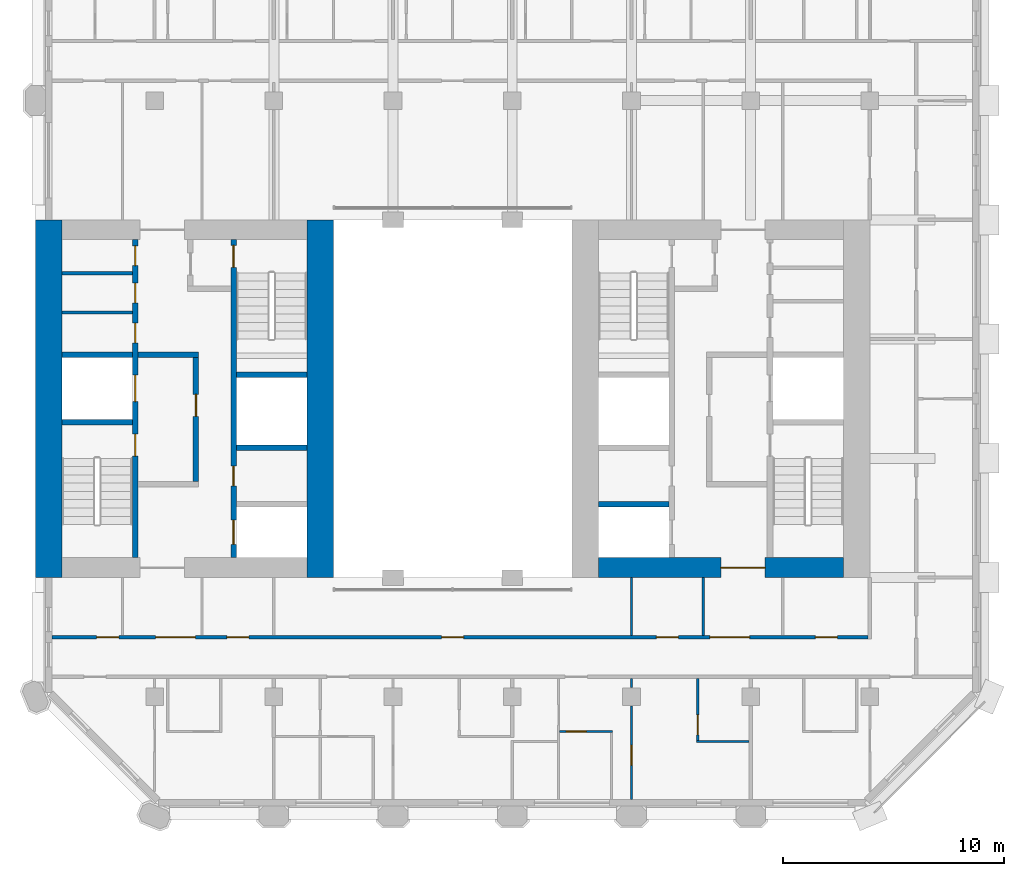
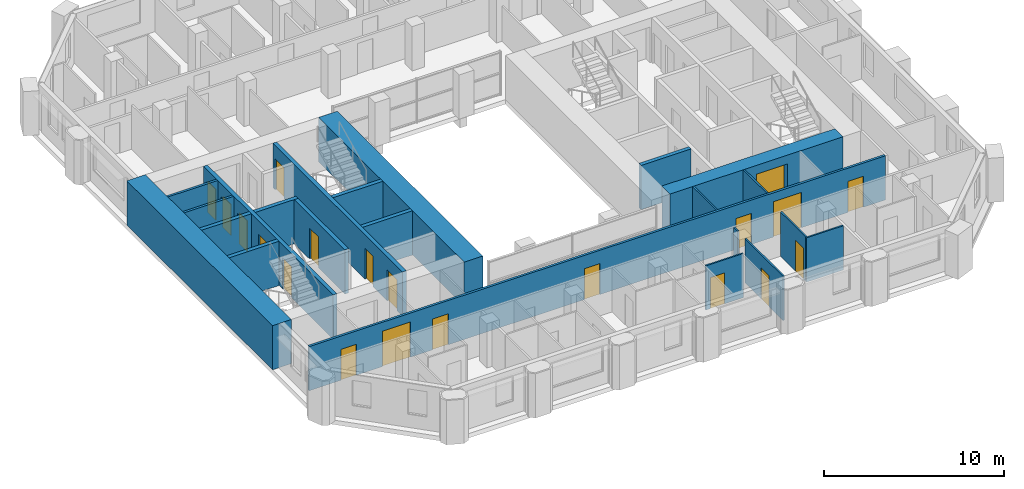
# One storey, part 5 of 12: 22 walls, 20 doors, 20 openings.
"""IFC4 building model written with IfcOpenShell, lengths in metres."""

from ifc_helpers import new_model, si_unit, direction, frame, frame_2d, origin, place, context, subcontext, project, spatial, rectangle, extrude, material, layer, layer_set, type_object, element, fill, save


model = new_model("IFC4")

# Units and contexts
model_context = context("Model", 3, precision=1e-05, world=origin(), true_north=direction((0.0, 1.0)))
body_context = subcontext(model_context, "Body", "Model", "MODEL_VIEW")
ifc_project = project(units=[si_unit("LENGTHUNIT", "METRE"), si_unit("AREAUNIT", "SQUARE_METRE"), si_unit("VOLUMEUNIT", "CUBIC_METRE"), si_unit("PLANEANGLEUNIT", "RADIAN"), si_unit("MASSUNIT", "GRAM", prefix="KILO")], contexts=[model_context])

# Site, building, storey
site_placement = place(None, origin())
site = spatial("IfcSite", under=ifc_project, at=site_placement, CompositionType="ELEMENT")
building_placement = place(site_placement, origin())
building = spatial("IfcBuilding", under=site, at=building_placement, Name="Tabaq Tower and Sports Hall", CompositionType="ELEMENT")
storey_placement = place(building_placement, frame((0.0, 0.0, 184.0)))
storey = spatial("IfcBuildingStorey", under=building, at=storey_placement, Name="L44", CompositionType="ELEMENT", Elevation=184.0)

# Walls
ifc_material_1 = material(Name="Blockwork", Category="masonry")
ifc_layer_1 = layer(ifc_material_1, 0.14990234375)
ifc_layer_set_1 = layer_set([ifc_layer_1], Name="Core room partition 150 Blockwork")
wall_type_1 = type_object("IfcWallType", Name="Core room partition 150 Blockwork", PredefinedType="PARTITIONING", material=ifc_layer_set_1)
for number, where, z_axis, x_axis, name in (
    (1, (6.60009765625, 28.200927734375, 0.0), (0.0, 0.0, 1.0), (1.0, 0.0, 0.0), "Core room partition W L44"),
    (2, (6.60009765625, 29.97705078125, 0.0), (0.0, 0.0, 1.0), (1.0, 0.0, 0.0), "Core room partition W L44"),
):
    element("IfcWall", number, at=place(storey_placement, frame(where, z_axis=z_axis, x_axis=x_axis)), inside=storey, type_object=wall_type_1, Name=name, PredefinedType="PARTITIONING", context=body_context, shape_type="SweptSolid", body=[
        extrude(rectangle(XDim=3.199951171875, YDim=0.14990234375, at=frame_2d((1.60009765625, 0.0))), origin(), (0.0, 0.0, 1.0), 3.0),
    ])
ifc_material_2 = material(Name="Concrete C50/60", Category="concrete")
ifc_layer_2 = layer(ifc_material_2, 1.199951171875)
ifc_layer_set_2 = layer_set([ifc_layer_2], Name="Core wall 1200 Concrete C50/60")
wall_type_2 = type_object("IfcWallType", Name="Core wall 1200 Concrete C50/60", PredefinedType="SOLIDWALL", material=ifc_layer_set_2)
for number, where, z_axis, x_axis, name in (
    (3, (6.0, 16.199951171875, 0.0), (0.0, 0.0, 1.0), (0.0, 1.0, 0.0), "Core wall W L44"),
    (4, (18.300048828125, 32.39990234375, 0.0), (0.0, 0.0, 1.0), (0.0, -1.0, 0.0), "Core wall W L44"),
):
    element("IfcWall", number, at=place(storey_placement, frame(where, z_axis=z_axis, x_axis=x_axis)), inside=storey, type_object=wall_type_2, Name=name, PredefinedType="SOLIDWALL", context=body_context, shape_type="SweptSolid", body=[
        extrude(rectangle(XDim=16.199951171875, YDim=1.199951171875, at=frame_2d((8.10009765625, 0.0))), origin(), (0.0, 0.0, 1.0), 3.0),
    ])

# Wall, opening, door
ifc_material_3 = material(Name="Concrete C50/60", Category="concrete")
ifc_layer_3 = layer(ifc_material_3, 0.89990234375)
ifc_layer_set_3 = layer_set([ifc_layer_3], Name="Core wall 900 Concrete C50/60")
wall_type_3 = type_object("IfcWallType", Name="Core wall 900 Concrete C50/60", PredefinedType="SOLIDWALL", material=ifc_layer_set_3)
wall_1_placement = place(storey_placement, frame((42.0, 16.64990234375, 0.0), z_axis=(0.0, 0.0, 1.0), x_axis=(-1.0, 0.0, 0.0)))
wall_1 = element("IfcWall", 5, at=wall_1_placement, inside=storey, type_object=wall_type_3, Name="Core wall E L44", PredefinedType="SOLIDWALL", context=body_context, shape_type="SweptSolid", body=[
    extrude(rectangle(XDim=11.10009765625, YDim=0.89990234375, at=frame_2d((5.550048828125, 0.0))), origin(), (0.0, 0.0, 1.0), 3.0),
])
opening_1_placement = place(wall_1_placement, frame((3.550048828125, 0.0, 0.0)))
opening_1 = element("IfcOpeningElement", 6, at=opening_1_placement, cuts=wall_1, Name="Opening PD-EL44-01", PredefinedType="OPENING", context=body_context, shape_type="SweptSolid", body=[
    extrude(rectangle(XDim=2.0, YDim=2.39990234375, at=frame_2d((1.0, 1.199951171875))), frame((0.0, 0.449951171875, 0.0), z_axis=(0.0, -1.0, 0.0), x_axis=(1.0, 0.0, 0.0)), (0.0, 0.0, 1.0), 0.89990234375),
])
ifc_material_4 = material(Name="Steel fire door", Category="steel")
door_type_1 = type_object("IfcDoorType", Name="Core entrance door 2000", OperationType="DOUBLE_DOOR_SINGLE_SWING", PredefinedType="DOOR", material=ifc_material_4)
door_1_placement = place(opening_1_placement, origin())
door_1 = element("IfcDoor", 7, at=door_1_placement, inside=storey, type_object=door_type_1, Name="Core entrance south E L44", OperationType="DOUBLE_DOOR_SINGLE_SWING", OverallHeight=2.39990234375, OverallWidth=2.0, PredefinedType="DOOR", context=body_context, shape_type="SweptSolid", body=[
    extrude(rectangle(XDim=2.0, YDim=2.39990234375, at=frame_2d((1.0, 1.199951171875))), frame((0.0, 0.02490234375, 0.0), z_axis=(0.0, -1.0, 0.0), x_axis=(1.0, 0.0, 0.0)), (0.0, 0.0, 1.0), 0.050048828125),
])
fill(opening_1, door_1)

# Wall
ifc_material_5 = material(Name="Gypsum board on steel studs", Category="steel")
ifc_layer_4 = layer(ifc_material_5, 0.10009765625)
ifc_layer_set_4 = layer_set([ifc_layer_4], Name="Partition 100 Gypsum board")
wall_type_4 = type_object("IfcWallType", Name="Partition 100 Gypsum board", PredefinedType="PARTITIONING", material=ifc_layer_set_4)
wall_2_placement = place(storey_placement, frame((37.72509765625, 8.77490234375, 0.0), z_axis=(0.0, 0.0, 1.0), x_axis=(-1.0, 0.0, 0.0)))
element("IfcWall", 8, at=wall_2_placement, inside=storey, type_object=wall_type_4, Name="Partition wall L44", PredefinedType="PARTITIONING", context=body_context, shape_type="SweptSolid", body=[
    extrude(rectangle(XDim=2.375, YDim=0.10009765625, at=frame_2d((1.1875, 0.0))), origin(), (0.0, 0.0, 1.0), 3.0),
])

# Wall, opening, door
wall_3_placement = place(storey_placement, frame((35.39990234375, 8.824951171875, 0.0), z_axis=(0.0, 0.0, 1.0), x_axis=(0.0, 1.0, 0.0)))
wall_3 = element("IfcWall", 9, at=wall_3_placement, inside=storey, type_object=wall_type_4, Name="Partition wall L44", PredefinedType="PARTITIONING", context=body_context, shape_type="SweptSolid", body=[
    extrude(rectangle(XDim=2.800048828125, YDim=0.10009765625, at=frame_2d((1.39990234375, 0.0))), origin(), (0.0, 0.0, 1.0), 3.0),
])
opening_2_placement = place(wall_3_placement, frame((0.25, 0.0, 0.0)))
opening_2 = element("IfcOpeningElement", 10, at=opening_2_placement, cuts=wall_3, Name="Opening L44-020", PredefinedType="OPENING", context=body_context, shape_type="SweptSolid", body=[
    extrude(rectangle(XDim=0.89990234375, YDim=2.10009765625, at=frame_2d((0.449951171875, 1.050048828125))), frame((0.0, 0.050048828125, 0.0), z_axis=(0.0, -1.0, 0.0), x_axis=(1.0, 0.0, 0.0)), (0.0, 0.0, 1.0), 0.10009765625),
])
ifc_material_6 = material(Name="Timber leaf in steel frame", Category="steel")
door_type_2 = type_object("IfcDoorType", Name="Internal door 900 left hand", OperationType="SINGLE_SWING_LEFT", PredefinedType="DOOR", material=ifc_material_6)
door_2_placement = place(opening_2_placement, origin())
door_2 = element("IfcDoor", 11, at=door_2_placement, inside=storey, type_object=door_type_2, Name="Internal door L44-020", OperationType="SINGLE_SWING_LEFT", OverallHeight=2.10009765625, OverallWidth=0.89990234375, PredefinedType="DOOR", context=body_context, shape_type="SweptSolid", body=[
    extrude(rectangle(XDim=0.89990234375, YDim=2.10009765625, at=frame_2d((0.449951171875, 1.050048828125))), frame((0.0, 0.02490234375, 0.0), z_axis=(0.0, -1.0, 0.0), x_axis=(1.0, 0.0, 0.0)), (0.0, 0.0, 1.0), 0.050048828125),
])
fill(opening_2, door_2)

# Wall
wall_4_placement = place(storey_placement, frame((32.39990234375, 11.625, 0.0), z_axis=(0.0, 0.0, 1.0), x_axis=(0.0, -1.0, 0.0)))
element("IfcWall", 12, at=wall_4_placement, inside=storey, type_object=wall_type_4, Name="Partition wall L44", PredefinedType="PARTITIONING", context=body_context, shape_type="SweptSolid", body=[
    extrude(rectangle(XDim=0.405029296875, YDim=0.10009765625, at=frame_2d((0.20263671875, 0.0))), origin(), (0.0, 0.0, 1.0), 3.0),
])

# Wall, opening, door
wall_5_placement = place(storey_placement, frame((32.39990234375, 10.3798828125, 0.0), z_axis=(0.0, 0.0, 1.0), x_axis=(0.0, -1.0, 0.0)))
wall_5 = element("IfcWall", 13, at=wall_5_placement, inside=storey, type_object=wall_type_4, Name="Partition wall L44", PredefinedType="PARTITIONING", context=body_context, shape_type="SweptSolid", body=[
    extrude(rectangle(XDim=4.22900390625, YDim=0.10009765625, at=frame_2d((2.114501953125, 0.0))), origin(), (0.0, 0.0, 1.0), 3.0),
])
opening_3_placement = place(wall_5_placement, frame((1.780029296875, 0.0, 0.0)))
opening_3 = element("IfcOpeningElement", 14, at=opening_3_placement, cuts=wall_5, Name="Opening L44-044", PredefinedType="OPENING", context=body_context, shape_type="SweptSolid", body=[
    extrude(rectangle(XDim=0.89990234375, YDim=2.10009765625, at=frame_2d((0.449951171875, 1.050048828125))), frame((0.0, 0.050048828125, 0.0), z_axis=(0.0, -1.0, 0.0), x_axis=(1.0, 0.0, 0.0)), (0.0, 0.0, 1.0), 0.10009765625),
])
ifc_material_7 = material(Name="Timber leaf in steel frame", Category="steel")
door_type_3 = type_object("IfcDoorType", Name="Internal door 900 right hand", OperationType="SINGLE_SWING_RIGHT", PredefinedType="DOOR", material=ifc_material_7)
door_3_placement = place(opening_3_placement, origin())
door_3 = element("IfcDoor", 15, at=door_3_placement, inside=storey, type_object=door_type_3, Name="Internal door L44-044", OperationType="SINGLE_SWING_RIGHT", OverallHeight=2.10009765625, OverallWidth=0.89990234375, PredefinedType="DOOR", context=body_context, shape_type="SweptSolid", body=[
    extrude(rectangle(XDim=0.89990234375, YDim=2.10009765625, at=frame_2d((0.449951171875, 1.050048828125))), frame((0.0, 0.02490234375, 0.0), z_axis=(0.0, -1.0, 0.0), x_axis=(1.0, 0.0, 0.0)), (0.0, 0.0, 1.0), 0.050048828125),
])
fill(opening_3, door_3)

wall_6_placement = place(storey_placement, frame((29.14990234375, 9.22509765625, 0.0), z_axis=(0.0, 0.0, 1.0), x_axis=(1.0, 0.0, 0.0)))
wall_6 = element("IfcWall", 16, at=wall_6_placement, inside=storey, type_object=wall_type_4, Name="Partition wall L44", PredefinedType="PARTITIONING", context=body_context, shape_type="SweptSolid", body=[
    extrude(rectangle(XDim=2.400146484375, YDim=0.10009765625, at=frame_2d((1.2001953125, 0.0))), origin(), (0.0, 0.0, 1.0), 3.0),
])
opening_4_placement = place(wall_6_placement, frame((0.300048828125, 0.0, 0.0)))
opening_4 = element("IfcOpeningElement", 17, at=opening_4_placement, cuts=wall_6, Name="Opening L44-022", PredefinedType="OPENING", context=body_context, shape_type="SweptSolid", body=[
    extrude(rectangle(XDim=0.89990234375, YDim=2.10009765625, at=frame_2d((0.449951171875, 1.050048828125))), frame((0.0, 0.050048828125, 0.0), z_axis=(0.0, -1.0, 0.0), x_axis=(1.0, 0.0, 0.0)), (0.0, 0.0, 1.0), 0.10009765625),
])
door_4_placement = place(opening_4_placement, origin())
door_4 = element("IfcDoor", 18, at=door_4_placement, inside=storey, type_object=door_type_2, Name="Internal door L44-022", OperationType="SINGLE_SWING_LEFT", OverallHeight=2.10009765625, OverallWidth=0.89990234375, PredefinedType="DOOR", context=body_context, shape_type="SweptSolid", body=[
    extrude(rectangle(XDim=0.89990234375, YDim=2.10009765625, at=frame_2d((0.449951171875, 1.050048828125))), frame((0.0, 0.02490234375, 0.0), z_axis=(0.0, -1.0, 0.0), x_axis=(1.0, 0.0, 0.0)), (0.0, 0.0, 1.0), 0.050048828125),
])
fill(opening_4, door_4)

# Walls
for number, where, z_axis, x_axis, name in (
    (19, (32.39990234375, 13.574951171875, 0.0), (0.0, 0.0, 1.0), (0.0, 1.0, 0.0), "Partition wall L44"),
    (20, (35.64990234375, 16.199951171875, 0.0), (0.0, 0.0, 1.0), (0.0, -1.0, 0.0), "Partition wall L44"),
):
    element("IfcWall", number, at=place(storey_placement, frame(where, z_axis=z_axis, x_axis=x_axis)), inside=storey, type_object=wall_type_4, Name=name, PredefinedType="PARTITIONING", context=body_context, shape_type="SweptSolid", body=[
        extrude(rectangle(XDim=2.625, YDim=0.10009765625, at=frame_2d((1.3125, 0.0))), origin(), (0.0, 0.0, 1.0), 3.0),
    ])

# Wall, openings, doors
ifc_material_8 = material(Name="Blockwork", Category="masonry")
ifc_layer_5 = layer(ifc_material_8, 0.14990234375)
ifc_layer_set_5 = layer_set([ifc_layer_5], Name="Separating wall 150 Blockwork")
wall_type_5 = type_object("IfcWallType", Name="Separating wall 150 Blockwork", PredefinedType="PARTITIONING", material=ifc_layer_set_5)
wall_7_placement = place(storey_placement, frame((6.15087890625, 13.5, 0.0), z_axis=(0.0, 0.0, 1.0), x_axis=(1.0, 0.0, 0.0)))
wall_7 = element("IfcWall", 21, at=wall_7_placement, inside=storey, type_object=wall_type_5, Name="Separating wall L44", PredefinedType="PARTITIONING", context=body_context, shape_type="SweptSolid", body=[
    extrude(rectangle(XDim=36.97412109375, YDim=0.14990234375, at=frame_2d((18.487060546875, 0.0))), origin(), (0.0, 0.0, 1.0), 3.0),
])
opening_5_placement = place(wall_7_placement, frame((17.64892578125, 0.0, 0.0)))
opening_5 = element("IfcOpeningElement", 22, at=opening_5_placement, cuts=wall_7, Name="Opening L44-024", PredefinedType="OPENING", context=body_context, shape_type="SweptSolid", body=[
    extrude(rectangle(XDim=1.0, YDim=2.10009765625, at=frame_2d((0.5, 1.050048828125))), frame((0.0, 0.074951171875, 0.0), z_axis=(0.0, -1.0, 0.0), x_axis=(1.0, 0.0, 0.0)), (0.0, 0.0, 1.0), 0.14990234375),
])
opening_6_placement = place(wall_7_placement, frame((2.029052734375, 0.0, 0.0)))
opening_6 = element("IfcOpeningElement", 23, at=opening_6_placement, cuts=wall_7, Name="Opening L44-026", PredefinedType="OPENING", context=body_context, shape_type="SweptSolid", body=[
    extrude(rectangle(XDim=1.0, YDim=2.10009765625, at=frame_2d((0.5, 1.050048828125))), frame((0.0, 0.074951171875, 0.0), z_axis=(0.0, -1.0, 0.0), x_axis=(1.0, 0.0, 0.0)), (0.0, 0.0, 1.0), 0.14990234375),
])
opening_7_placement = place(wall_7_placement, frame((27.3740234375, 0.0, 0.0)))
opening_7 = element("IfcOpeningElement", 24, at=opening_7_placement, cuts=wall_7, Name="Opening L44-027", PredefinedType="OPENING", context=body_context, shape_type="SweptSolid", body=[
    extrude(rectangle(XDim=1.0, YDim=2.10009765625, at=frame_2d((0.5, 1.050048828125))), frame((0.0, 0.074951171875, 0.0), z_axis=(0.0, -1.0, 0.0), x_axis=(1.0, 0.0, 0.0)), (0.0, 0.0, 1.0), 0.14990234375),
])
opening_8_placement = place(wall_7_placement, frame((34.573974609375, 0.0, 0.0)))
opening_8 = element("IfcOpeningElement", 25, at=opening_8_placement, cuts=wall_7, Name="Opening L44-028", PredefinedType="OPENING", context=body_context, shape_type="SweptSolid", body=[
    extrude(rectangle(XDim=1.0, YDim=2.10009765625, at=frame_2d((0.5, 1.050048828125))), frame((0.0, 0.074951171875, 0.0), z_axis=(0.0, -1.0, 0.0), x_axis=(1.0, 0.0, 0.0)), (0.0, 0.0, 1.0), 0.14990234375),
])
opening_9_placement = place(wall_7_placement, frame((7.924072265625, 0.0, 0.0)))
opening_9 = element("IfcOpeningElement", 26, at=opening_9_placement, cuts=wall_7, Name="Opening L44-029", PredefinedType="OPENING", context=body_context, shape_type="SweptSolid", body=[
    extrude(rectangle(XDim=1.0, YDim=2.10009765625, at=frame_2d((0.5, 1.050048828125))), frame((0.0, 0.074951171875, 0.0), z_axis=(0.0, -1.0, 0.0), x_axis=(1.0, 0.0, 0.0)), (0.0, 0.0, 1.0), 0.14990234375),
])
opening_10_placement = place(wall_7_placement, frame((4.698974609375, 0.0, 0.0)))
opening_10 = element("IfcOpeningElement", 27, at=opening_10_placement, cuts=wall_7, Name="Opening L44-048", PredefinedType="OPENING", context=body_context, shape_type="SweptSolid", body=[
    extrude(rectangle(XDim=1.800048828125, YDim=2.39990234375, at=frame_2d((0.89990234375, 1.199951171875))), frame((0.0, 0.074951171875, 0.0), z_axis=(0.0, -1.0, 0.0), x_axis=(1.0, 0.0, 0.0)), (0.0, 0.0, 1.0), 0.14990234375),
])
opening_11_placement = place(wall_7_placement, frame((29.799072265625, 0.0, 0.0)))
opening_11 = element("IfcOpeningElement", 28, at=opening_11_placement, cuts=wall_7, Name="Opening L44-049", PredefinedType="OPENING", context=body_context, shape_type="SweptSolid", body=[
    extrude(rectangle(XDim=1.800048828125, YDim=2.39990234375, at=frame_2d((0.89990234375, 1.199951171875))), frame((0.0, 0.074951171875, 0.0), z_axis=(0.0, -1.0, 0.0), x_axis=(1.0, 0.0, 0.0)), (0.0, 0.0, 1.0), 0.14990234375),
])
ifc_material_9 = material(Name="Timber leaf in steel frame", Category="steel")
door_type_4 = type_object("IfcDoorType", Name="Internal door 1000 left hand", OperationType="SINGLE_SWING_LEFT", PredefinedType="DOOR", material=ifc_material_9)
door_5_placement = place(opening_6_placement, origin())
door_5 = element("IfcDoor", 29, at=door_5_placement, inside=storey, type_object=door_type_4, Name="Internal door L44-026", OperationType="SINGLE_SWING_LEFT", OverallHeight=2.10009765625, OverallWidth=1.0, PredefinedType="DOOR", context=body_context, shape_type="SweptSolid", body=[
    extrude(rectangle(XDim=1.0, YDim=2.10009765625, at=frame_2d((0.5, 1.050048828125))), frame((0.0, 0.02490234375, 0.0), z_axis=(0.0, -1.0, 0.0), x_axis=(1.0, 0.0, 0.0)), (0.0, 0.0, 1.0), 0.050048828125),
])
fill(opening_6, door_5)
door_6_placement = place(opening_8_placement, origin())
door_6 = element("IfcDoor", 30, at=door_6_placement, inside=storey, type_object=door_type_4, Name="Internal door L44-028", OperationType="SINGLE_SWING_LEFT", OverallHeight=2.10009765625, OverallWidth=1.0, PredefinedType="DOOR", context=body_context, shape_type="SweptSolid", body=[
    extrude(rectangle(XDim=1.0, YDim=2.10009765625, at=frame_2d((0.5, 1.050048828125))), frame((0.0, 0.02490234375, 0.0), z_axis=(0.0, -1.0, 0.0), x_axis=(1.0, 0.0, 0.0)), (0.0, 0.0, 1.0), 0.050048828125),
])
fill(opening_8, door_6)
ifc_material_10 = material(Name="Timber leaf in steel frame", Category="steel")
door_type_5 = type_object("IfcDoorType", Name="Internal door 1000 right hand", OperationType="SINGLE_SWING_RIGHT", PredefinedType="DOOR", material=ifc_material_10)
door_7_placement = place(opening_5_placement, origin())
door_7 = element("IfcDoor", 31, at=door_7_placement, inside=storey, type_object=door_type_5, Name="Internal door L44-024", OperationType="SINGLE_SWING_RIGHT", OverallHeight=2.10009765625, OverallWidth=1.0, PredefinedType="DOOR", context=body_context, shape_type="SweptSolid", body=[
    extrude(rectangle(XDim=1.0, YDim=2.10009765625, at=frame_2d((0.5, 1.050048828125))), frame((0.0, 0.02490234375, 0.0), z_axis=(0.0, -1.0, 0.0), x_axis=(1.0, 0.0, 0.0)), (0.0, 0.0, 1.0), 0.050048828125),
])
fill(opening_5, door_7)
door_8_placement = place(opening_7_placement, origin())
door_8 = element("IfcDoor", 32, at=door_8_placement, inside=storey, type_object=door_type_5, Name="Internal door L44-027", OperationType="SINGLE_SWING_RIGHT", OverallHeight=2.10009765625, OverallWidth=1.0, PredefinedType="DOOR", context=body_context, shape_type="SweptSolid", body=[
    extrude(rectangle(XDim=1.0, YDim=2.10009765625, at=frame_2d((0.5, 1.050048828125))), frame((0.0, 0.02490234375, 0.0), z_axis=(0.0, -1.0, 0.0), x_axis=(1.0, 0.0, 0.0)), (0.0, 0.0, 1.0), 0.050048828125),
])
fill(opening_7, door_8)
door_9_placement = place(opening_9_placement, origin())
door_9 = element("IfcDoor", 33, at=door_9_placement, inside=storey, type_object=door_type_5, Name="Internal door L44-029", OperationType="SINGLE_SWING_RIGHT", OverallHeight=2.10009765625, OverallWidth=1.0, PredefinedType="DOOR", context=body_context, shape_type="SweptSolid", body=[
    extrude(rectangle(XDim=1.0, YDim=2.10009765625, at=frame_2d((0.5, 1.050048828125))), frame((0.0, 0.02490234375, 0.0), z_axis=(0.0, -1.0, 0.0), x_axis=(1.0, 0.0, 0.0)), (0.0, 0.0, 1.0), 0.050048828125),
])
fill(opening_9, door_9)
ifc_material_11 = material(Name="Timber leaf in steel frame", Category="steel")
door_type_6 = type_object("IfcDoorType", Name="Internal door 1800", OperationType="DOUBLE_DOOR_SINGLE_SWING", PredefinedType="DOOR", material=ifc_material_11)
door_10_placement = place(opening_10_placement, origin())
door_10 = element("IfcDoor", 34, at=door_10_placement, inside=storey, type_object=door_type_6, Name="Internal door L44-048", OperationType="DOUBLE_DOOR_SINGLE_SWING", OverallHeight=2.39990234375, OverallWidth=1.800048828125, PredefinedType="DOOR", context=body_context, shape_type="SweptSolid", body=[
    extrude(rectangle(XDim=1.800048828125, YDim=2.39990234375, at=frame_2d((0.89990234375, 1.199951171875))), frame((0.0, 0.02490234375, 0.0), z_axis=(0.0, -1.0, 0.0), x_axis=(1.0, 0.0, 0.0)), (0.0, 0.0, 1.0), 0.050048828125),
])
fill(opening_10, door_10)
door_11_placement = place(opening_11_placement, origin())
door_11 = element("IfcDoor", 35, at=door_11_placement, inside=storey, type_object=door_type_6, Name="Internal door L44-049", OperationType="DOUBLE_DOOR_SINGLE_SWING", OverallHeight=2.39990234375, OverallWidth=1.800048828125, PredefinedType="DOOR", context=body_context, shape_type="SweptSolid", body=[
    extrude(rectangle(XDim=1.800048828125, YDim=2.39990234375, at=frame_2d((0.89990234375, 1.199951171875))), frame((0.0, 0.02490234375, 0.0), z_axis=(0.0, -1.0, 0.0), x_axis=(1.0, 0.0, 0.0)), (0.0, 0.0, 1.0), 0.050048828125),
])
fill(opening_11, door_11)

ifc_material_12 = material(Name="Concrete C40/50", Category="concrete")
ifc_layer_6 = layer(ifc_material_12, 0.25)
ifc_layer_set_6 = layer_set([ifc_layer_6], Name="Shaft and stair wall 250 Concrete C40/50")
wall_type_6 = type_object("IfcWallType", Name="Shaft and stair wall 250 Concrete C40/50", PredefinedType="SOLIDWALL", material=ifc_layer_set_6)
wall_8_placement = place(storey_placement, frame((9.925048828125, 17.10009765625, 0.0), z_axis=(0.0, 0.0, 1.0), x_axis=(0.0, 1.0, 0.0)))
wall_8 = element("IfcWall", 36, at=wall_8_placement, inside=storey, type_object=wall_type_6, Name="Shaft wall W L44", PredefinedType="SOLIDWALL", context=body_context, shape_type="SweptSolid", body=[
    extrude(rectangle(XDim=14.39990234375, YDim=0.25, at=frame_2d((7.199951171875, 0.0))), origin(), (0.0, 0.0, 1.0), 3.0),
])
opening_12_placement = place(wall_8_placement, frame((4.60009765625, 0.0, 0.0)))
opening_12 = element("IfcOpeningElement", 37, at=opening_12_placement, cuts=wall_8, Name="Opening SD-WL44-03", PredefinedType="OPENING", context=body_context, shape_type="SweptSolid", body=[
    extrude(rectangle(XDim=1.0, YDim=2.10009765625, at=frame_2d((0.5, 1.050048828125))), frame((0.0, 0.125, 0.0), z_axis=(0.0, -1.0, 0.0), x_axis=(1.0, 0.0, 0.0)), (0.0, 0.0, 1.0), 0.25),
])
opening_13_placement = place(wall_8_placement, frame((7.0625, 0.0, 0.0)))
opening_13 = element("IfcOpeningElement", 38, at=opening_13_placement, cuts=wall_8, Name="Opening LD-FF1-L44", PredefinedType="OPENING", context=body_context, shape_type="SweptSolid", body=[
    extrude(rectangle(XDim=1.199951171875, YDim=2.10009765625, at=frame_2d((0.60009765625, 1.050048828125))), frame((0.0, 0.125, 0.0), z_axis=(0.0, -1.0, 0.0), x_axis=(1.0, 0.0, 0.0)), (0.0, 0.0, 1.0), 0.25),
])
opening_14_placement = place(wall_8_placement, frame((9.7255859375, 0.0, 0.0)))
opening_14 = element("IfcOpeningElement", 39, at=opening_14_placement, cuts=wall_8, Name="Opening RD-WL44-09", PredefinedType="OPENING", context=body_context, shape_type="SweptSolid", body=[
    extrude(rectangle(XDim=0.89990234375, YDim=2.10009765625, at=frame_2d((0.449951171875, 1.050048828125))), frame((0.0, 0.125, 0.0), z_axis=(0.0, -1.0, 0.0), x_axis=(1.0, 0.0, 0.0)), (0.0, 0.0, 1.0), 0.25),
])
opening_15_placement = place(wall_8_placement, frame((11.5390625, 0.0, 0.0)))
opening_15 = element("IfcOpeningElement", 40, at=opening_15_placement, cuts=wall_8, Name="Opening RD-WL44-10", PredefinedType="OPENING", context=body_context, shape_type="SweptSolid", body=[
    extrude(rectangle(XDim=0.89990234375, YDim=2.10009765625, at=frame_2d((0.449951171875, 1.050048828125))), frame((0.0, 0.125, 0.0), z_axis=(0.0, -1.0, 0.0), x_axis=(1.0, 0.0, 0.0)), (0.0, 0.0, 1.0), 0.25),
])
opening_16_placement = place(wall_8_placement, frame((13.22607421875, 0.0, 0.0)))
opening_16 = element("IfcOpeningElement", 41, at=opening_16_placement, cuts=wall_8, Name="Opening RD-WL44-11", PredefinedType="OPENING", context=body_context, shape_type="SweptSolid", body=[
    extrude(rectangle(XDim=0.89990234375, YDim=2.10009765625, at=frame_2d((0.449951171875, 1.050048828125))), frame((0.0, 0.125, 0.0), z_axis=(0.0, -1.0, 0.0), x_axis=(1.0, 0.0, 0.0)), (0.0, 0.0, 1.0), 0.25),
])
ifc_material_13 = material(Name="Steel fire door", Category="steel")
door_type_7 = type_object("IfcDoorType", Name="Core room door 900", OperationType="SINGLE_SWING_LEFT", PredefinedType="DOOR", material=ifc_material_13)
door_12_placement = place(opening_14_placement, origin())
door_12 = element("IfcDoor", 42, at=door_12_placement, inside=storey, type_object=door_type_7, Name="Door Accessible WC W L44", OperationType="SINGLE_SWING_LEFT", OverallHeight=2.10009765625, OverallWidth=0.89990234375, PredefinedType="DOOR", context=body_context, shape_type="SweptSolid", body=[
    extrude(rectangle(XDim=0.89990234375, YDim=2.10009765625, at=frame_2d((0.449951171875, 1.050048828125))), frame((0.0, 0.02490234375, 0.0), z_axis=(0.0, -1.0, 0.0), x_axis=(1.0, 0.0, 0.0)), (0.0, 0.0, 1.0), 0.050048828125),
])
fill(opening_14, door_12)
door_13_placement = place(opening_15_placement, origin())
door_13 = element("IfcDoor", 43, at=door_13_placement, inside=storey, type_object=door_type_7, Name="Door Unisex WC W L44", OperationType="SINGLE_SWING_LEFT", OverallHeight=2.10009765625, OverallWidth=0.89990234375, PredefinedType="DOOR", context=body_context, shape_type="SweptSolid", body=[
    extrude(rectangle(XDim=0.89990234375, YDim=2.10009765625, at=frame_2d((0.449951171875, 1.050048828125))), frame((0.0, 0.02490234375, 0.0), z_axis=(0.0, -1.0, 0.0), x_axis=(1.0, 0.0, 0.0)), (0.0, 0.0, 1.0), 0.050048828125),
])
fill(opening_15, door_13)
door_14_placement = place(opening_16_placement, origin())
door_14 = element("IfcDoor", 44, at=door_14_placement, inside=storey, type_object=door_type_7, Name="Door Cleaner's Store W L44", OperationType="SINGLE_SWING_LEFT", OverallHeight=2.10009765625, OverallWidth=0.89990234375, PredefinedType="DOOR", context=body_context, shape_type="SweptSolid", body=[
    extrude(rectangle(XDim=0.89990234375, YDim=2.10009765625, at=frame_2d((0.449951171875, 1.050048828125))), frame((0.0, 0.02490234375, 0.0), z_axis=(0.0, -1.0, 0.0), x_axis=(1.0, 0.0, 0.0)), (0.0, 0.0, 1.0), 0.050048828125),
])
fill(opening_16, door_14)
ifc_material_14 = material(Name="Stainless steel", Category="steel")
door_type_8 = type_object("IfcDoorType", Name="Lift landing door 1200", OperationType="DOUBLE_DOOR_SLIDING", PredefinedType="DOOR", material=ifc_material_14)
door_15_placement = place(opening_13_placement, origin())
door_15 = element("IfcDoor", 45, at=door_15_placement, inside=storey, type_object=door_type_8, Name="Lift landing door FF1 W L44", OperationType="DOUBLE_DOOR_SLIDING", OverallHeight=2.10009765625, OverallWidth=1.199951171875, PredefinedType="DOOR", context=body_context, shape_type="SweptSolid", body=[
    extrude(rectangle(XDim=1.199951171875, YDim=2.10009765625, at=frame_2d((0.60009765625, 1.050048828125))), frame((0.0, 0.02490234375, 0.0), z_axis=(0.0, -1.0, 0.0), x_axis=(1.0, 0.0, 0.0)), (0.0, 0.0, 1.0), 0.050048828125),
])
fill(opening_13, door_15)
ifc_material_15 = material(Name="Steel fire door", Category="steel")
door_type_9 = type_object("IfcDoorType", Name="Stair door 1000", OperationType="SINGLE_SWING_LEFT", PredefinedType="DOOR", material=ifc_material_15)
door_16_placement = place(opening_12_placement, origin())
door_16 = element("IfcDoor", 46, at=door_16_placement, inside=storey, type_object=door_type_9, Name="Stair door ST1 W L44", OperationType="SINGLE_SWING_LEFT", OverallHeight=2.10009765625, OverallWidth=1.0, PredefinedType="DOOR", context=body_context, shape_type="SweptSolid", body=[
    extrude(rectangle(XDim=1.0, YDim=2.10009765625, at=frame_2d((0.5, 1.050048828125))), frame((0.0, 0.02490234375, 0.0), z_axis=(0.0, -1.0, 0.0), x_axis=(1.0, 0.0, 0.0)), (0.0, 0.0, 1.0), 0.050048828125),
])
fill(opening_12, door_16)

wall_9_placement = place(storey_placement, frame((14.375, 17.10009765625, 0.0), z_axis=(0.0, 0.0, 1.0), x_axis=(0.0, 1.0, 0.0)))
wall_9 = element("IfcWall", 47, at=wall_9_placement, inside=storey, type_object=wall_type_6, Name="Shaft wall W L44", PredefinedType="SOLIDWALL", context=body_context, shape_type="SweptSolid", body=[
    extrude(rectangle(XDim=14.39990234375, YDim=0.25, at=frame_2d((7.199951171875, 0.0))), origin(), (0.0, 0.0, 1.0), 3.0),
])
opening_17_placement = place(wall_9_placement, frame((13.14990234375, 0.0, 0.0)))
opening_17 = element("IfcOpeningElement", 48, at=opening_17_placement, cuts=wall_9, Name="Opening SD-WL44-05", PredefinedType="OPENING", context=body_context, shape_type="SweptSolid", body=[
    extrude(rectangle(XDim=1.0, YDim=2.10009765625, at=frame_2d((0.5, 1.050048828125))), frame((0.0, 0.125, 0.0), z_axis=(0.0, -1.0, 0.0), x_axis=(1.0, 0.0, 0.0)), (0.0, 0.0, 1.0), 0.25),
])
opening_18_placement = place(wall_9_placement, frame((0.60009765625, 0.0, 0.0)))
opening_18 = element("IfcOpeningElement", 49, at=opening_18_placement, cuts=wall_9, Name="Opening LD-MR1-L44", PredefinedType="OPENING", context=body_context, shape_type="SweptSolid", body=[
    extrude(rectangle(XDim=1.10009765625, YDim=2.10009765625, at=frame_2d((0.550048828125, 1.050048828125))), frame((0.0, 0.125, 0.0), z_axis=(0.0, -1.0, 0.0), x_axis=(1.0, 0.0, 0.0)), (0.0, 0.0, 1.0), 0.25),
])
opening_19_placement = place(wall_9_placement, frame((3.25, 0.0, 0.0)))
opening_19 = element("IfcOpeningElement", 50, at=opening_19_placement, cuts=wall_9, Name="Opening RD-WL44-12", PredefinedType="OPENING", context=body_context, shape_type="SweptSolid", body=[
    extrude(rectangle(XDim=0.89990234375, YDim=2.10009765625, at=frame_2d((0.449951171875, 1.050048828125))), frame((0.0, 0.125, 0.0), z_axis=(0.0, -1.0, 0.0), x_axis=(1.0, 0.0, 0.0)), (0.0, 0.0, 1.0), 0.25),
])
door_17_placement = place(opening_19_placement, origin())
door_17 = element("IfcDoor", 51, at=door_17_placement, inside=storey, type_object=door_type_7, Name="Door Cleaner's Store W L44", OperationType="SINGLE_SWING_LEFT", OverallHeight=2.10009765625, OverallWidth=0.89990234375, PredefinedType="DOOR", context=body_context, shape_type="SweptSolid", body=[
    extrude(rectangle(XDim=0.89990234375, YDim=2.10009765625, at=frame_2d((0.449951171875, 1.050048828125))), frame((0.0, 0.02490234375, 0.0), z_axis=(0.0, -1.0, 0.0), x_axis=(1.0, 0.0, 0.0)), (0.0, 0.0, 1.0), 0.050048828125),
])
fill(opening_19, door_17)
ifc_material_16 = material(Name="Stainless steel", Category="steel")
door_type_10 = type_object("IfcDoorType", Name="Lift landing door 1100", OperationType="DOUBLE_DOOR_SLIDING", PredefinedType="DOOR", material=ifc_material_16)
door_18_placement = place(opening_18_placement, origin())
door_18 = element("IfcDoor", 52, at=door_18_placement, inside=storey, type_object=door_type_10, Name="Lift landing door MR1 W L44", OperationType="DOUBLE_DOOR_SLIDING", OverallHeight=2.10009765625, OverallWidth=1.10009765625, PredefinedType="DOOR", context=body_context, shape_type="SweptSolid", body=[
    extrude(rectangle(XDim=1.10009765625, YDim=2.10009765625, at=frame_2d((0.550048828125, 1.050048828125))), frame((0.0, 0.02490234375, 0.0), z_axis=(0.0, -1.0, 0.0), x_axis=(1.0, 0.0, 0.0)), (0.0, 0.0, 1.0), 0.050048828125),
])
fill(opening_18, door_18)
door_19_placement = place(opening_17_placement, origin())
door_19 = element("IfcDoor", 53, at=door_19_placement, inside=storey, type_object=door_type_9, Name="Stair door ST2 W L44", OperationType="SINGLE_SWING_LEFT", OverallHeight=2.10009765625, OverallWidth=1.0, PredefinedType="DOOR", context=body_context, shape_type="SweptSolid", body=[
    extrude(rectangle(XDim=1.0, YDim=2.10009765625, at=frame_2d((0.5, 1.050048828125))), frame((0.0, 0.02490234375, 0.0), z_axis=(0.0, -1.0, 0.0), x_axis=(1.0, 0.0, 0.0)), (0.0, 0.0, 1.0), 0.050048828125),
])
fill(opening_17, door_19)

# Walls
for number, where, z_axis, x_axis, name in (
    (54, (6.60009765625, 23.22509765625, 0.0), (0.0, 0.0, 1.0), (1.0, 0.0, 0.0), "Stair enclosure wall W L44"),
    (55, (14.5, 25.375, 0.0), (0.0, 0.0, 1.0), (1.0, 0.0, 0.0), "Stair enclosure wall W L44"),
    (56, (14.5, 22.074951171875, 0.0), (0.0, 0.0, 1.0), (1.0, 0.0, 0.0), "Shaft wall W L44"),
    (57, (6.60009765625, 26.300048828125, 0.0), (0.0, 0.0, 1.0), (1.0, 0.0, 0.0), "Shaft wall W L44"),
):
    element("IfcWall", number, at=place(storey_placement, frame(where, z_axis=z_axis, x_axis=x_axis)), inside=storey, type_object=wall_type_6, Name=name, PredefinedType="SOLIDWALL", context=body_context, shape_type="SweptSolid", body=[
        extrude(rectangle(XDim=3.199951171875, YDim=0.25, at=frame_2d((1.60009765625, 0.0))), origin(), (0.0, 0.0, 1.0), 3.0),
    ])
wall_10_placement = place(storey_placement, frame((10.050048828125, 26.300048828125, 0.0), z_axis=(0.0, 0.0, 1.0), x_axis=(1.0, 0.0, 0.0)))
element("IfcWall", 58, at=wall_10_placement, inside=storey, type_object=wall_type_6, Name="Fire-fighting lobby wall W L44", PredefinedType="SOLIDWALL", context=body_context, shape_type="SweptSolid", body=[
    extrude(rectangle(XDim=2.75, YDim=0.25, at=frame_2d((1.375, 0.0))), origin(), (0.0, 0.0, 1.0), 3.0),
])

# Wall, opening, door
wall_11_placement = place(storey_placement, frame((12.675048828125, 20.550048828125, 0.0), z_axis=(0.0, 0.0, 1.0), x_axis=(0.0, 1.0, 0.0)))
wall_11 = element("IfcWall", 59, at=wall_11_placement, inside=storey, type_object=wall_type_6, Name="Fire-fighting lobby wall W L44", PredefinedType="SOLIDWALL", context=body_context, shape_type="SweptSolid", body=[
    extrude(rectangle(XDim=5.625, YDim=0.25, at=frame_2d((2.8125, 0.0))), origin(), (0.0, 0.0, 1.0), 3.0),
])
opening_20_placement = place(wall_11_placement, frame((2.949951171875, 0.0, 0.0)))
opening_20 = element("IfcOpeningElement", 60, at=opening_20_placement, cuts=wall_11, Name="Opening FD-WL44-04", PredefinedType="OPENING", context=body_context, shape_type="SweptSolid", body=[
    extrude(rectangle(XDim=1.0, YDim=2.10009765625, at=frame_2d((0.5, 1.050048828125))), frame((0.0, 0.125, 0.0), z_axis=(0.0, -1.0, 0.0), x_axis=(1.0, 0.0, 0.0)), (0.0, 0.0, 1.0), 0.25),
])
ifc_material_17 = material(Name="Steel fire door", Category="steel")
door_type_11 = type_object("IfcDoorType", Name="Fire-fighting lobby door 1000", OperationType="SINGLE_SWING_LEFT", PredefinedType="DOOR", material=ifc_material_17)
door_20_placement = place(opening_20_placement, origin())
door_20 = element("IfcDoor", 61, at=door_20_placement, inside=storey, type_object=door_type_11, Name="Fire-fighting lobby door W L44", OperationType="SINGLE_SWING_LEFT", OverallHeight=2.10009765625, OverallWidth=1.0, PredefinedType="DOOR", context=body_context, shape_type="SweptSolid", body=[
    extrude(rectangle(XDim=1.0, YDim=2.10009765625, at=frame_2d((0.5, 1.050048828125))), frame((0.0, 0.02490234375, 0.0), z_axis=(0.0, -1.0, 0.0), x_axis=(1.0, 0.0, 0.0)), (0.0, 0.0, 1.0), 0.050048828125),
])
fill(opening_20, door_20)

# Wall
wall_12_placement = place(storey_placement, frame((30.89990234375, 19.52490234375, 0.0), z_axis=(0.0, 0.0, 1.0), x_axis=(1.0, 0.0, 0.0)))
element("IfcWall", 62, at=wall_12_placement, inside=storey, type_object=wall_type_6, Name="Shaft wall E L44", PredefinedType="SOLIDWALL", context=body_context, shape_type="SweptSolid", body=[
    extrude(rectangle(XDim=3.2001953125, YDim=0.25, at=frame_2d((1.60009765625, 0.0))), origin(), (0.0, 0.0, 1.0), 3.0),
])

save(model, "model.ifc")
